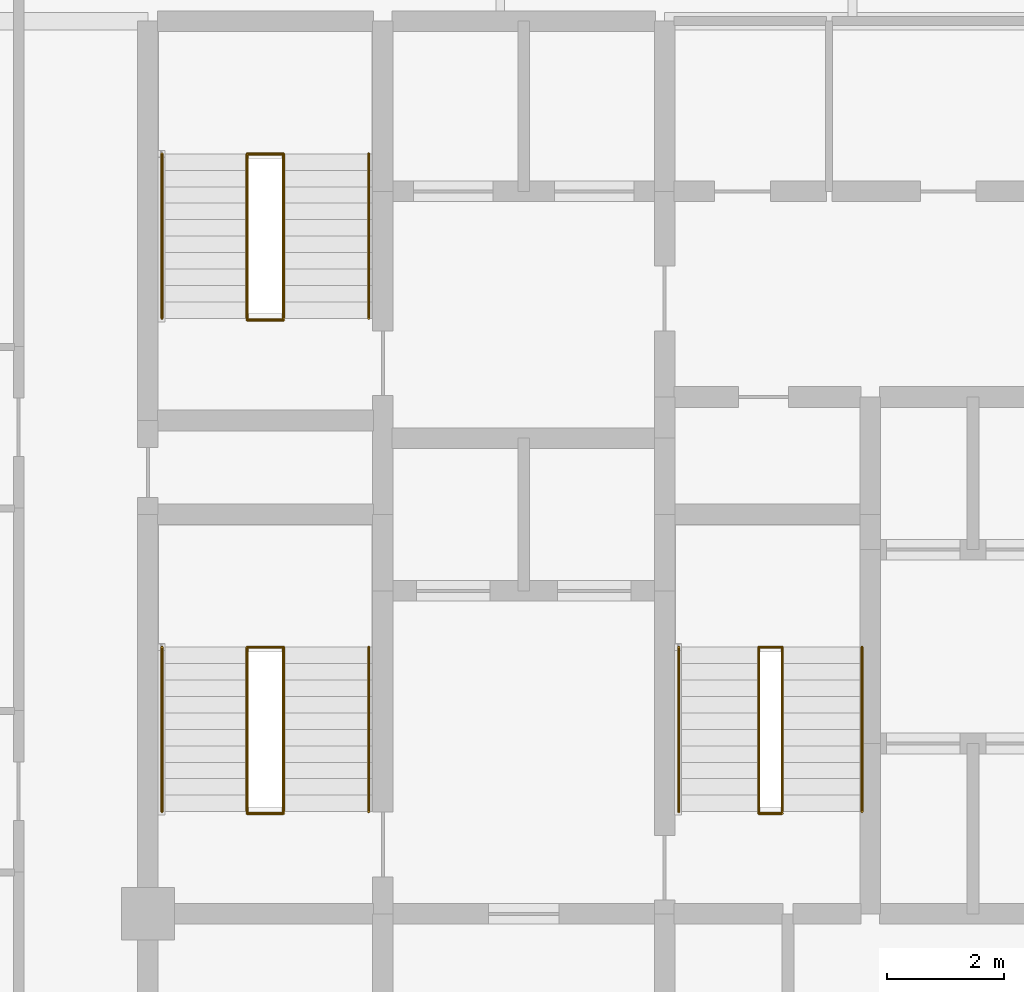
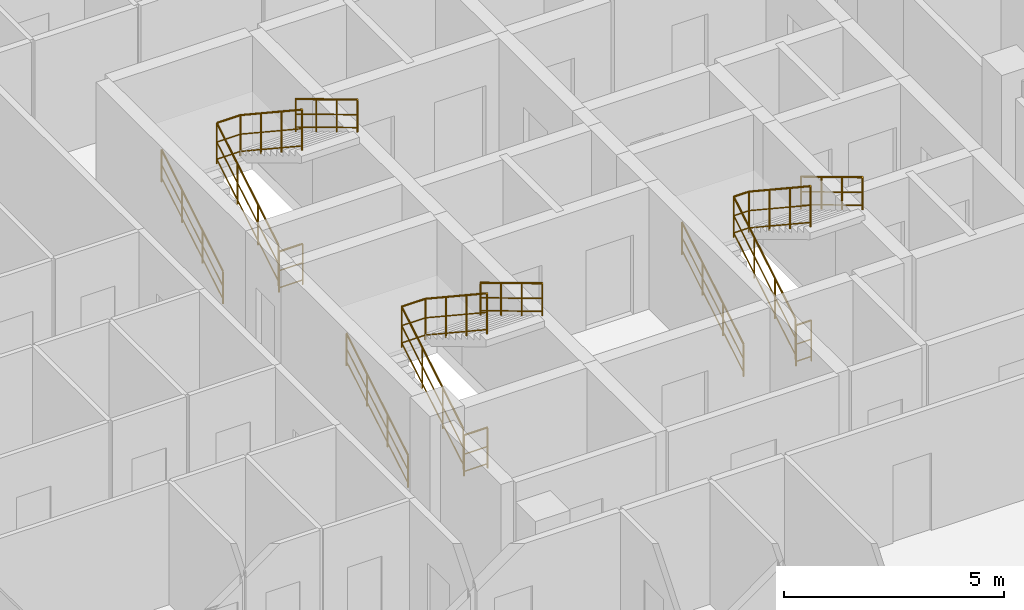
# One storey, part 31 of 31: 12 railings.
"""IFC4 building model written with IfcOpenShell, lengths in metres."""

import ifcopenshell
import ifcopenshell.guid

model = None  # the IFC model being written
_history = None  # IfcOwnerHistory: only IFC2X3 demands one
_inside = {}  # id of a spatial element -> (the spatial element, [elements in it])
_under = {}  # id of a project, library or spatial element -> (it, [spatial elements below it])
_declared = {}  # id of a project -> (the project, [libraries it declares])
_typed = {}  # id of a type object -> (the type object, [elements of that type])
_made_of = {}  # id of a material, layer set ... -> (it, [elements and type objects made of it])


def new_model(schema):
    """Start an empty IFC model of exactly this schema.

    Asked for "IFC4X3", IfcOpenShell would pick the latest addendum, in which some entities
    have other attributes; the version numbers below select the first issue.
    IFC2X3 requires an IfcOwnerHistory on every rooted entity: one is made here for all.
    """
    global model, _history
    if schema == "IFC4X3":
        model = ifcopenshell.file(schema_version=(4, 3, 0, 0))
    else:
        model = ifcopenshell.file(schema=schema)
    _inside.clear()
    _under.clear()
    _declared.clear()
    _typed.clear()
    _made_of.clear()
    _history = None
    if model.schema == "IFC2X3":
        org = make("IfcOrganization", Name="unknown")
        user = make(
            "IfcPersonAndOrganization",
            ThePerson=make("IfcPerson", FamilyName="unknown"),
            TheOrganization=org,
        )
        app = make(
            "IfcApplication",
            ApplicationDeveloper=org,
            Version="unknown",
            ApplicationFullName="unknown",
            ApplicationIdentifier="unknown",
        )
        _history = make(
            "IfcOwnerHistory",
            OwningUser=user,
            OwningApplication=app,
            ChangeAction="ADDED",
            CreationDate=0,
        )
    return model


def make(cls, **values):
    """One entity of the class cls with the attributes given. An attribute that is None is left unset."""
    return model.create_entity(
        cls, **{name: value for name, value in values.items() if value is not None}
    )


def rooted(cls, **values):
    """An entity with a GlobalId (a new one), such as an element, a storey or a relation."""
    return make(cls, GlobalId=ifcopenshell.guid.new(), OwnerHistory=_history, **values)


def si_unit(unit_type, name, prefix=None):
    """IfcSIUnit, for example si_unit("LENGTHUNIT", "METRE", prefix="MILLI")."""
    return make("IfcSIUnit", UnitType=unit_type, Prefix=prefix, Name=name)


def assignment(units):
    """IfcUnitAssignment: the units of a project."""
    return None if units is None else make("IfcUnitAssignment", Units=units)


def point(xyz):
    """IfcCartesianPoint."""
    return None if xyz is None else make("IfcCartesianPoint", Coordinates=xyz)


def direction(xyz):
    """IfcDirection."""
    return None if xyz is None else make("IfcDirection", DirectionRatios=xyz)


def frame(location, z_axis=None, x_axis=None):
    """IfcAxis2Placement3D, a coordinate frame: its origin and axes. An axis left out is left unset."""
    return make(
        "IfcAxis2Placement3D",
        Location=point(location),
        Axis=direction(z_axis),
        RefDirection=direction(x_axis),
    )


def frame_2d(location, x_axis=None):
    """IfcAxis2Placement2D, a coordinate frame in the plane: its origin and x axis."""
    return make(
        "IfcAxis2Placement2D", Location=point(location), RefDirection=direction(x_axis)
    )


def origin():
    """The frame at (0, 0, 0) with its axes left unset."""
    return frame((0.0, 0.0, 0.0))


def origin_2d():
    """The frame at (0, 0) in the plane with its x axis left unset."""
    return frame_2d((0.0, 0.0))


def place(relative_to, where):
    """IfcLocalPlacement: puts the frame where relative to a parent placement (None: the world)."""
    return make(
        "IfcLocalPlacement", PlacementRelTo=relative_to, RelativePlacement=where
    )


def context(
    kind, dimensions, precision=None, world=None, true_north=None, identifier=None
):
    """IfcGeometricRepresentationContext, for example the 3D "Model" context."""
    return make(
        "IfcGeometricRepresentationContext",
        ContextIdentifier=identifier,
        ContextType=kind,
        CoordinateSpaceDimension=dimensions,
        Precision=precision,
        WorldCoordinateSystem=world,
        TrueNorth=true_north,
    )


def subcontext(parent, identifier, kind, view, scale=None):
    """IfcGeometricRepresentationSubContext, for example "Body" below "Model"."""
    return make(
        "IfcGeometricRepresentationSubContext",
        ContextIdentifier=identifier,
        ContextType=kind,
        ParentContext=parent,
        TargetScale=scale,
        TargetView=view,
    )


def project(units=None, contexts=None):
    """IfcProject with its units and contexts."""
    return rooted(
        "IfcProject",
        Name="project",
        RepresentationContexts=contexts,
        UnitsInContext=assignment(units),
    )


def spatial(cls, under=None, at=None, **own):
    """A site, building, storey or space (cls), placed at a placement, below another one or the project."""
    s = rooted(cls, ObjectPlacement=at, **own)
    if under is not None:
        _under.setdefault(under.id(), (under, []))[1].append(s)
    return s


def profile(cls, at=None, kind="AREA", **sizes):
    """A parametric profile (cls). Its sizes go by their IFC names, for example OverallWidth=200.0."""
    return make(cls, ProfileType=kind, Position=at, **sizes)


def circle(**sizes):
    """IfcCircleProfileDef."""
    return profile("IfcCircleProfileDef", **sizes)


def extrude(swept, where, along, depth):
    """IfcExtrudedAreaSolid: the profile swept, set in the frame where, extruded along a direction by depth."""
    return make(
        "IfcExtrudedAreaSolid",
        SweptArea=swept,
        Position=where,
        ExtrudedDirection=direction(along),
        Depth=depth,
    )


def shape(context_of_items, identifier, shape_type, items):
    """IfcShapeRepresentation: the items that make up one representation, for example the "Body"."""
    return make(
        "IfcShapeRepresentation",
        ContextOfItems=context_of_items,
        RepresentationIdentifier=identifier,
        RepresentationType=shape_type,
        Items=items,
    )


def material(Name=None, Category=None):
    """IfcMaterial."""
    return make("IfcMaterial", Name=Name, Category=Category)


def layer(
    of_material, thickness, ventilated=None, Name=None, Category=None, Priority=None
):
    """IfcMaterialLayer: one layer of a wall or slab, of a material (None: an air gap)."""
    return make(
        "IfcMaterialLayer",
        Material=of_material,
        LayerThickness=thickness,
        IsVentilated=ventilated,
        Name=Name,
        Category=Category,
        Priority=Priority,
    )


def layer_set(layers, Name=None):
    """IfcMaterialLayerSet."""
    return make("IfcMaterialLayerSet", MaterialLayers=layers, LayerSetName=Name)


def made_of(thing, what):
    """Note that an element or type object is made of a material, layer set ...; save() writes the relation."""
    if what is not None:
        _made_of.setdefault(what.id(), (what, []))[1].append(thing)
    return thing


def type_object(cls, material=None, **own):
    """A type object (cls), such as IfcWallType, which elements share."""
    return made_of(rooted(cls, **own), material)


def element(
    cls,
    number,
    at=None,
    inside=None,
    cuts=None,
    type_object=None,
    material=None,
    context=None,
    identifier="Body",
    shape_type=None,
    held_by="IfcProductDefinitionShape",
    body=None,
    shapes=None,
    **own,
):
    """One element of the class cls, such as IfcWall. Its Tag is "e" and its number.

    at: its placement. inside: the storey or other place that contains it. cuts: it is an
    opening in that element (IfcRelVoidsElement). A single representation is given by context,
    identifier, shape_type and body (its items); several are given by shapes. held_by: the class
    of the entity that holds the representations. save() writes the other relations.
    """
    e = rooted(cls, Tag="e%d" % number, ObjectPlacement=at, **own)
    if body is not None:
        shapes = [shape(context, identifier, shape_type, body)]
    if shapes is not None:
        e.Representation = make(held_by, Representations=shapes)
    if inside is not None:
        _inside.setdefault(inside.id(), (inside, []))[1].append(e)
    if cuts is not None:
        rooted(
            "IfcRelVoidsElement", RelatingBuildingElement=cuts, RelatedOpeningElement=e
        )
    if type_object is not None:
        _typed.setdefault(type_object.id(), (type_object, []))[1].append(e)
    return made_of(e, material)


def aggregate(whole, parts):
    """IfcRelAggregates: a whole, such as a stair, and the parts it consists of."""
    return rooted("IfcRelAggregates", RelatingObject=whole, RelatedObjects=parts)


def save(model, path):
    """Write the relations noted so far, then the file.

    IfcRelAggregates (storeys below a building ...), IfcRelContainedInSpatialStructure (elements
    in a storey), IfcRelDefinesByType, IfcRelAssociatesMaterial and IfcRelDeclares: one each for
    every whole, place, type object, material and project.
    """
    for whole, parts in _under.values():
        aggregate(whole, parts)
    for where, things in _inside.values():
        rooted(
            "IfcRelContainedInSpatialStructure",
            RelatedElements=things,
            RelatingStructure=where,
        )
    for kind, things in _typed.values():
        rooted("IfcRelDefinesByType", RelatedObjects=things, RelatingType=kind)
    for what, things in _made_of.values():
        rooted("IfcRelAssociatesMaterial", RelatedObjects=things, RelatingMaterial=what)
    for by, libraries in _declared.values():
        rooted("IfcRelDeclares", RelatingContext=by, RelatedDefinitions=libraries)
    model.write(path)


model = new_model("IFC4")

# Units and contexts
model_context = context("Model", 3, precision=1e-05, world=origin(), true_north=direction((0.0, 1.0)))
body_context = subcontext(model_context, "Body", "Model", "MODEL_VIEW")
ifc_project = project(units=[si_unit("LENGTHUNIT", "METRE"), si_unit("AREAUNIT", "SQUARE_METRE"), si_unit("VOLUMEUNIT", "CUBIC_METRE"), si_unit("PLANEANGLEUNIT", "RADIAN"), si_unit("MASSUNIT", "GRAM", prefix="KILO")], contexts=[model_context])

# Site, building, storey
site_placement = place(None, origin())
site = spatial("IfcSite", under=ifc_project, at=site_placement, CompositionType="ELEMENT")
building_placement = place(site_placement, origin())
building = spatial("IfcBuilding", under=site, at=building_placement, Name="Keshet Zoharim Tower", CompositionType="ELEMENT")
storey_placement = place(building_placement, frame((0.0, 0.0, 129.800048828125)))
storey = spatial("IfcBuildingStorey", under=building, at=storey_placement, Name="L31", CompositionType="ELEMENT", Elevation=129.800048828125)

# Railings
ifc_material = material(Name="Steel S355", Category="steel")
ifc_layer_1 = layer(ifc_material, 0.050048828125)
ifc_layer_set_1 = layer_set([ifc_layer_1], Name="Steel S355")
railing_type_1 = type_object("IfcRailingType", Name="RL-HND-092", PredefinedType="HANDRAIL", material=ifc_layer_set_1)
railing_1_placement = place(storey_placement, frame((15.239990234375, 24.43994140625, 0.168212890625)))
element("IfcRailing", 1, at=railing_1_placement, inside=storey, type_object=railing_type_1, Name="L31 ST-01 Flight 1 Wall Handrail", PredefinedType="HANDRAIL", context=body_context, shape_type="SweptSolid", body=[
    extrude(circle(Radius=0.02392578125, at=origin_2d()), frame((0.0, 0.0, 0.89599609375), z_axis=(0.0, 0.857275202839, 0.514858452973), x_axis=(-1.0, 0.0, 0.0)), (0.0, 0.0, 1.0), 3.26611328125),
    extrude(circle(Radius=0.01611328125, at=origin_2d()), frame((0.0, 0.0, 0.478271484375), z_axis=(0.0, 0.857275202839, 0.514858452973), x_axis=(-1.0, 0.0, 0.0)), (0.0, 0.0, 1.0), 3.26611328125),
    extrude(circle(Radius=0.01611328125, at=origin_2d()), frame((0.0, 0.0, 0.1201171875), z_axis=(0.0, 0.857275202839, 0.514858452973), x_axis=(-1.0, 0.0, 0.0)), (0.0, 0.0, 1.0), 3.26611328125),
    extrude(circle(Radius=0.02099609375, at=origin_2d()), origin(), (0.0, 0.0, 1.0), 0.871826171875),
    extrude(circle(Radius=0.02099609375, at=origin_2d()), frame((0.0, 0.933349609375, 0.560546875)), (0.0, 0.0, 1.0), 0.871826171875),
    extrude(circle(Radius=0.02099609375, at=origin_2d()), frame((0.0, 1.86669921875, 1.12109375)), (0.0, 0.0, 1.0), 0.871826171875),
    extrude(circle(Radius=0.02099609375, at=origin_2d()), frame((0.0, 2.800048828125, 1.681640625)), (0.0, 0.0, 1.0), 0.871826171875),
])
railing_2_placement = place(storey_placement, frame((18.760009765625, 27.239990234375, 2.01806640625)))
element("IfcRailing", 2, at=railing_2_placement, inside=storey, type_object=railing_type_1, Name="L31 ST-01 Flight 2 Wall Handrail", PredefinedType="HANDRAIL", context=body_context, shape_type="SweptSolid", body=[
    extrude(circle(Radius=0.02392578125, at=origin_2d()), frame((0.0, 0.0, 0.89599609375), z_axis=(0.0, -0.857242210791, 0.514913383045), x_axis=(1.0, 0.0, 0.0)), (0.0, 0.0, 1.0), 3.266357421875),
    extrude(circle(Radius=0.01611328125, at=origin_2d()), frame((0.0, 0.0, 0.478271484375), z_axis=(0.0, -0.857242210791, 0.514913383045), x_axis=(1.0, 0.0, 0.0)), (0.0, 0.0, 1.0), 3.266357421875),
    extrude(circle(Radius=0.01611328125, at=origin_2d()), frame((0.0, 0.0, 0.1201171875), z_axis=(0.0, -0.857242210791, 0.514913383045), x_axis=(1.0, 0.0, 0.0)), (0.0, 0.0, 1.0), 3.266357421875),
    extrude(circle(Radius=0.02099609375, at=origin_2d()), origin(), (0.0, 0.0, 1.0), 0.871826171875),
    extrude(circle(Radius=0.02099609375, at=origin_2d()), frame((0.0, -0.933349609375, 0.560546875)), (0.0, 0.0, 1.0), 0.871826171875),
    extrude(circle(Radius=0.02099609375, at=origin_2d()), frame((0.0, -1.86669921875, 1.121337890625)), (0.0, 0.0, 1.0), 0.871826171875),
    extrude(circle(Radius=0.02099609375, at=origin_2d()), frame((0.0, -2.800048828125, 1.681884765625)), (0.0, 0.0, 1.0), 0.871826171875),
])
railing_3_placement = place(storey_placement, frame((15.239990234375, 32.840087890625, 0.168212890625)))
element("IfcRailing", 3, at=railing_3_placement, inside=storey, type_object=railing_type_1, Name="L31 ST-02 Flight 1 Wall Handrail", PredefinedType="HANDRAIL", context=body_context, shape_type="SweptSolid", body=[
    extrude(circle(Radius=0.02392578125, at=origin_2d()), frame((0.0, 0.0, 0.89599609375), z_axis=(0.0, 0.857255387014, 0.514891446264), x_axis=(-1.0, 0.0, 0.0)), (0.0, 0.0, 1.0), 3.26611328125),
    extrude(circle(Radius=0.01611328125, at=origin_2d()), frame((0.0, 0.0, 0.478271484375), z_axis=(0.0, 0.857255387014, 0.514891446264), x_axis=(-1.0, 0.0, 0.0)), (0.0, 0.0, 1.0), 3.26611328125),
    extrude(circle(Radius=0.01611328125, at=origin_2d()), frame((0.0, 0.0, 0.1201171875), z_axis=(0.0, 0.857255387014, 0.514891446264), x_axis=(-1.0, 0.0, 0.0)), (0.0, 0.0, 1.0), 3.26611328125),
    extrude(circle(Radius=0.02099609375, at=origin_2d()), origin(), (0.0, 0.0, 1.0), 0.871826171875),
    extrude(circle(Radius=0.02099609375, at=origin_2d()), frame((0.0, 0.933349609375, 0.560546875)), (0.0, 0.0, 1.0), 0.871826171875),
    extrude(circle(Radius=0.02099609375, at=origin_2d()), frame((0.0, 1.866455078125, 1.12109375)), (0.0, 0.0, 1.0), 0.871826171875),
    extrude(circle(Radius=0.02099609375, at=origin_2d()), frame((0.0, 2.7998046875, 1.681640625)), (0.0, 0.0, 1.0), 0.871826171875),
])
railing_4_placement = place(storey_placement, frame((18.760009765625, 35.639892578125, 2.01806640625)))
element("IfcRailing", 4, at=railing_4_placement, inside=storey, type_object=railing_type_1, Name="L31 ST-02 Flight 2 Wall Handrail", PredefinedType="HANDRAIL", context=body_context, shape_type="SweptSolid", body=[
    extrude(circle(Radius=0.02392578125, at=origin_2d()), frame((0.0, 0.0, 0.89599609375), z_axis=(0.0, -0.857222391501, 0.514946377315), x_axis=(1.0, 0.0, 0.0)), (0.0, 0.0, 1.0), 3.26611328125),
    extrude(circle(Radius=0.01611328125, at=origin_2d()), frame((0.0, 0.0, 0.478271484375), z_axis=(0.0, -0.857222391501, 0.514946377315), x_axis=(1.0, 0.0, 0.0)), (0.0, 0.0, 1.0), 3.26611328125),
    extrude(circle(Radius=0.01611328125, at=origin_2d()), frame((0.0, 0.0, 0.1201171875), z_axis=(0.0, -0.857222391501, 0.514946377315), x_axis=(1.0, 0.0, 0.0)), (0.0, 0.0, 1.0), 3.26611328125),
    extrude(circle(Radius=0.02099609375, at=origin_2d()), origin(), (0.0, 0.0, 1.0), 0.871826171875),
    extrude(circle(Radius=0.02099609375, at=origin_2d()), frame((0.0, -0.933349609375, 0.560546875)), (0.0, 0.0, 1.0), 0.871826171875),
    extrude(circle(Radius=0.02099609375, at=origin_2d()), frame((0.0, -1.866455078125, 1.121337890625)), (0.0, 0.0, 1.0), 0.871826171875),
    extrude(circle(Radius=0.02099609375, at=origin_2d()), frame((0.0, -2.7998046875, 1.681884765625)), (0.0, 0.0, 1.0), 0.871826171875),
])
railing_5_placement = place(storey_placement, frame((24.0400390625, 24.43994140625, 0.168212890625)))
element("IfcRailing", 5, at=railing_5_placement, inside=storey, type_object=railing_type_1, Name="L31 ST-03 Flight 1 Wall Handrail", PredefinedType="HANDRAIL", context=body_context, shape_type="SweptSolid", body=[
    extrude(circle(Radius=0.02392578125, at=origin_2d()), frame((0.0, 0.0, 0.89599609375), z_axis=(0.0, 0.857275202839, 0.514858452973), x_axis=(-1.0, 0.0, 0.0)), (0.0, 0.0, 1.0), 3.26611328125),
    extrude(circle(Radius=0.01611328125, at=origin_2d()), frame((0.0, 0.0, 0.478271484375), z_axis=(0.0, 0.857275202839, 0.514858452973), x_axis=(-1.0, 0.0, 0.0)), (0.0, 0.0, 1.0), 3.26611328125),
    extrude(circle(Radius=0.01611328125, at=origin_2d()), frame((0.0, 0.0, 0.1201171875), z_axis=(0.0, 0.857275202839, 0.514858452973), x_axis=(-1.0, 0.0, 0.0)), (0.0, 0.0, 1.0), 3.26611328125),
    extrude(circle(Radius=0.02099609375, at=origin_2d()), origin(), (0.0, 0.0, 1.0), 0.871826171875),
    extrude(circle(Radius=0.02099609375, at=origin_2d()), frame((0.0, 0.933349609375, 0.560546875)), (0.0, 0.0, 1.0), 0.871826171875),
    extrude(circle(Radius=0.02099609375, at=origin_2d()), frame((0.0, 1.86669921875, 1.12109375)), (0.0, 0.0, 1.0), 0.871826171875),
    extrude(circle(Radius=0.02099609375, at=origin_2d()), frame((0.0, 2.800048828125, 1.681640625)), (0.0, 0.0, 1.0), 0.871826171875),
])
railing_6_placement = place(storey_placement, frame((27.159912109375, 27.239990234375, 2.01806640625)))
element("IfcRailing", 6, at=railing_6_placement, inside=storey, type_object=railing_type_1, Name="L31 ST-03 Flight 2 Wall Handrail", PredefinedType="HANDRAIL", context=body_context, shape_type="SweptSolid", body=[
    extrude(circle(Radius=0.02392578125, at=origin_2d()), frame((0.0, 0.0, 0.89599609375), z_axis=(0.0, -0.857242210791, 0.514913383045), x_axis=(1.0, 0.0, 0.0)), (0.0, 0.0, 1.0), 3.266357421875),
    extrude(circle(Radius=0.01611328125, at=origin_2d()), frame((0.0, 0.0, 0.478271484375), z_axis=(0.0, -0.857242210791, 0.514913383045), x_axis=(1.0, 0.0, 0.0)), (0.0, 0.0, 1.0), 3.266357421875),
    extrude(circle(Radius=0.01611328125, at=origin_2d()), frame((0.0, 0.0, 0.1201171875), z_axis=(0.0, -0.857242210791, 0.514913383045), x_axis=(1.0, 0.0, 0.0)), (0.0, 0.0, 1.0), 3.266357421875),
    extrude(circle(Radius=0.02099609375, at=origin_2d()), origin(), (0.0, 0.0, 1.0), 0.871826171875),
    extrude(circle(Radius=0.02099609375, at=origin_2d()), frame((0.0, -0.933349609375, 0.560546875)), (0.0, 0.0, 1.0), 0.871826171875),
    extrude(circle(Radius=0.02099609375, at=origin_2d()), frame((0.0, -1.86669921875, 1.121337890625)), (0.0, 0.0, 1.0), 0.871826171875),
    extrude(circle(Radius=0.02099609375, at=origin_2d()), frame((0.0, -2.800048828125, 1.681884765625)), (0.0, 0.0, 1.0), 0.871826171875),
])
ifc_layer_2 = layer(ifc_material, 0.06005859375)
ifc_layer_set_2 = layer_set([ifc_layer_2], Name="Steel S355")
railing_type_2 = type_object("IfcRailingType", Name="RL-STG-115", PredefinedType="GUARDRAIL", material=ifc_layer_set_2)
railing_7_placement = place(storey_placement, frame((16.68994140625, 24.43994140625, 0.168212890625)))
element("IfcRailing", 7, at=railing_7_placement, inside=storey, type_object=railing_type_2, Name="L31 ST-01 Inner Well Guardrail", PredefinedType="GUARDRAIL", context=body_context, shape_type="SweptSolid", body=[
    extrude(circle(Radius=0.02392578125, at=origin_2d()), frame((0.0, 0.0, 1.1259765625), z_axis=(0.0, 0.857275202839, 0.514858452973), x_axis=(-1.0, 0.0, 0.0)), (0.0, 0.0, 1.0), 3.26611328125),
    extrude(circle(Radius=0.01611328125, at=origin_2d()), frame((0.0, 0.0, 0.597900390625), z_axis=(0.0, 0.857275202839, 0.514858452973), x_axis=(-1.0, 0.0, 0.0)), (0.0, 0.0, 1.0), 3.26611328125),
    extrude(circle(Radius=0.01611328125, at=origin_2d()), frame((0.0, 0.0, 0.1201171875), z_axis=(0.0, 0.857275202839, 0.514858452973), x_axis=(-1.0, 0.0, 0.0)), (0.0, 0.0, 1.0), 3.26611328125),
    extrude(circle(Radius=0.02392578125, at=origin_2d()), frame((0.0, 2.800048828125, 2.8076171875), z_axis=(1.0, 0.0, 0.0), x_axis=(0.0, 1.0, 0.0)), (0.0, 0.0, 1.0), 0.6201171875),
    extrude(circle(Radius=0.01611328125, at=origin_2d()), frame((0.0, 2.800048828125, 2.279541015625), z_axis=(1.0, 0.0, 0.0), x_axis=(0.0, 1.0, 0.0)), (0.0, 0.0, 1.0), 0.6201171875),
    extrude(circle(Radius=0.01611328125, at=origin_2d()), frame((0.0, 2.800048828125, 1.8017578125), z_axis=(1.0, 0.0, 0.0), x_axis=(0.0, 1.0, 0.0)), (0.0, 0.0, 1.0), 0.6201171875),
    extrude(circle(Radius=0.02392578125, at=origin_2d()), frame((0.6201171875, 2.800048828125, 2.8076171875), z_axis=(0.0, -0.834326358476, 0.551270829586), x_axis=(1.0, 0.0, 0.0)), (0.0, 0.0, 1.0), 3.35595703125),
    extrude(circle(Radius=0.01611328125, at=origin_2d()), frame((0.6201171875, 2.800048828125, 2.279541015625), z_axis=(0.0, -0.834326358476, 0.551270829586), x_axis=(1.0, 0.0, 0.0)), (0.0, 0.0, 1.0), 3.35595703125),
    extrude(circle(Radius=0.01611328125, at=origin_2d()), frame((0.6201171875, 2.800048828125, 1.8017578125), z_axis=(0.0, -0.834326358476, 0.551270829586), x_axis=(1.0, 0.0, 0.0)), (0.0, 0.0, 1.0), 3.35595703125),
    extrude(circle(Radius=0.02099609375, at=origin_2d()), origin(), (0.0, 0.0, 1.0), 1.101806640625),
    extrude(circle(Radius=0.02099609375, at=origin_2d()), frame((0.0, 0.933349609375, 0.560546875)), (0.0, 0.0, 1.0), 1.101806640625),
    extrude(circle(Radius=0.02099609375, at=origin_2d()), frame((0.0, 1.86669921875, 1.12109375)), (0.0, 0.0, 1.0), 1.101806640625),
    extrude(circle(Radius=0.02099609375, at=origin_2d()), frame((0.0, 2.800048828125, 1.681640625)), (0.0, 0.0, 1.0), 1.101806640625),
    extrude(circle(Radius=0.02099609375, at=origin_2d()), frame((0.6201171875, 2.800048828125, 1.681640625)), (0.0, 0.0, 1.0), 1.101806640625),
    extrude(circle(Radius=0.02099609375, at=origin_2d()), frame((0.6201171875, 1.86669921875, 2.29833984375)), (0.0, 0.0, 1.0), 1.101806640625),
    extrude(circle(Radius=0.02099609375, at=origin_2d()), frame((0.6201171875, 0.933349609375, 2.9150390625)), (0.0, 0.0, 1.0), 1.101806640625),
    extrude(circle(Radius=0.02099609375, at=origin_2d()), frame((0.6201171875, 0.0, 3.53173828125)), (0.0, 0.0, 1.0), 1.101806640625),
])
railing_8_placement = place(storey_placement, frame((16.68994140625, 24.409912109375, 0.0)))
element("IfcRailing", 8, at=railing_8_placement, inside=storey, type_object=railing_type_2, Name="L31 ST-01 Stairwell Floor Guardrail", PredefinedType="GUARDRAIL", context=body_context, shape_type="SweptSolid", body=[
    extrude(circle(Radius=0.02392578125, at=origin_2d()), frame((0.0, 0.0, 1.1259765625), z_axis=(1.0, 0.0, 0.0), x_axis=(0.0, 1.0, 0.0)), (0.0, 0.0, 1.0), 0.6201171875),
    extrude(circle(Radius=0.01611328125, at=origin_2d()), frame((0.0, 0.0, 0.597900390625), z_axis=(1.0, 0.0, 0.0), x_axis=(0.0, 1.0, 0.0)), (0.0, 0.0, 1.0), 0.6201171875),
    extrude(circle(Radius=0.01611328125, at=origin_2d()), frame((0.0, 0.0, 0.1201171875), z_axis=(1.0, 0.0, 0.0), x_axis=(0.0, 1.0, 0.0)), (0.0, 0.0, 1.0), 0.6201171875),
    extrude(circle(Radius=0.02099609375, at=origin_2d()), origin(), (0.0, 0.0, 1.0), 1.101806640625),
    extrude(circle(Radius=0.02099609375, at=origin_2d()), frame((0.6201171875, 0.0, 0.0)), (0.0, 0.0, 1.0), 1.101806640625),
])
railing_9_placement = place(storey_placement, frame((16.68994140625, 32.840087890625, 0.168212890625)))
element("IfcRailing", 9, at=railing_9_placement, inside=storey, type_object=railing_type_2, Name="L31 ST-02 Inner Well Guardrail", PredefinedType="GUARDRAIL", context=body_context, shape_type="SweptSolid", body=[
    extrude(circle(Radius=0.02392578125, at=origin_2d()), frame((0.0, 0.0, 1.1259765625), z_axis=(0.0, 0.857255387014, 0.514891446264), x_axis=(-1.0, 0.0, 0.0)), (0.0, 0.0, 1.0), 3.26611328125),
    extrude(circle(Radius=0.01611328125, at=origin_2d()), frame((0.0, 0.0, 0.597900390625), z_axis=(0.0, 0.857255387014, 0.514891446264), x_axis=(-1.0, 0.0, 0.0)), (0.0, 0.0, 1.0), 3.26611328125),
    extrude(circle(Radius=0.01611328125, at=origin_2d()), frame((0.0, 0.0, 0.1201171875), z_axis=(0.0, 0.857255387014, 0.514891446264), x_axis=(-1.0, 0.0, 0.0)), (0.0, 0.0, 1.0), 3.26611328125),
    extrude(circle(Radius=0.02392578125, at=origin_2d()), frame((0.0, 2.7998046875, 2.8076171875), z_axis=(1.0, 0.0, 0.0), x_axis=(0.0, 1.0, 0.0)), (0.0, 0.0, 1.0), 0.6201171875),
    extrude(circle(Radius=0.01611328125, at=origin_2d()), frame((0.0, 2.7998046875, 2.279541015625), z_axis=(1.0, 0.0, 0.0), x_axis=(0.0, 1.0, 0.0)), (0.0, 0.0, 1.0), 0.6201171875),
    extrude(circle(Radius=0.01611328125, at=origin_2d()), frame((0.0, 2.7998046875, 1.8017578125), z_axis=(1.0, 0.0, 0.0), x_axis=(0.0, 1.0, 0.0)), (0.0, 0.0, 1.0), 0.6201171875),
    extrude(circle(Radius=0.02392578125, at=origin_2d()), frame((0.6201171875, 2.7998046875, 2.8076171875), z_axis=(0.0, -0.834304248922, 0.551304290053), x_axis=(1.0, 0.0, 0.0)), (0.0, 0.0, 1.0), 3.35595703125),
    extrude(circle(Radius=0.01611328125, at=origin_2d()), frame((0.6201171875, 2.7998046875, 2.279541015625), z_axis=(0.0, -0.834304248922, 0.551304290053), x_axis=(1.0, 0.0, 0.0)), (0.0, 0.0, 1.0), 3.35595703125),
    extrude(circle(Radius=0.01611328125, at=origin_2d()), frame((0.6201171875, 2.7998046875, 1.8017578125), z_axis=(0.0, -0.834304248922, 0.551304290053), x_axis=(1.0, 0.0, 0.0)), (0.0, 0.0, 1.0), 3.35595703125),
    extrude(circle(Radius=0.02099609375, at=origin_2d()), origin(), (0.0, 0.0, 1.0), 1.101806640625),
    extrude(circle(Radius=0.02099609375, at=origin_2d()), frame((0.0, 0.933349609375, 0.560546875)), (0.0, 0.0, 1.0), 1.101806640625),
    extrude(circle(Radius=0.02099609375, at=origin_2d()), frame((0.0, 1.866455078125, 1.12109375)), (0.0, 0.0, 1.0), 1.101806640625),
    extrude(circle(Radius=0.02099609375, at=origin_2d()), frame((0.0, 2.7998046875, 1.681640625)), (0.0, 0.0, 1.0), 1.101806640625),
    extrude(circle(Radius=0.02099609375, at=origin_2d()), frame((0.6201171875, 2.7998046875, 1.681640625)), (0.0, 0.0, 1.0), 1.101806640625),
    extrude(circle(Radius=0.02099609375, at=origin_2d()), frame((0.6201171875, 1.866455078125, 2.29833984375)), (0.0, 0.0, 1.0), 1.101806640625),
    extrude(circle(Radius=0.02099609375, at=origin_2d()), frame((0.6201171875, 0.933349609375, 2.9150390625)), (0.0, 0.0, 1.0), 1.101806640625),
    extrude(circle(Radius=0.02099609375, at=origin_2d()), frame((0.6201171875, 0.0, 3.53173828125)), (0.0, 0.0, 1.0), 1.101806640625),
])
railing_10_placement = place(storey_placement, frame((16.68994140625, 32.81005859375, 0.0)))
element("IfcRailing", 10, at=railing_10_placement, inside=storey, type_object=railing_type_2, Name="L31 ST-02 Stairwell Floor Guardrail", PredefinedType="GUARDRAIL", context=body_context, shape_type="SweptSolid", body=[
    extrude(circle(Radius=0.02392578125, at=origin_2d()), frame((0.0, 0.0, 1.1259765625), z_axis=(1.0, 0.0, 0.0), x_axis=(0.0, 1.0, 0.0)), (0.0, 0.0, 1.0), 0.6201171875),
    extrude(circle(Radius=0.01611328125, at=origin_2d()), frame((0.0, 0.0, 0.597900390625), z_axis=(1.0, 0.0, 0.0), x_axis=(0.0, 1.0, 0.0)), (0.0, 0.0, 1.0), 0.6201171875),
    extrude(circle(Radius=0.01611328125, at=origin_2d()), frame((0.0, 0.0, 0.1201171875), z_axis=(1.0, 0.0, 0.0), x_axis=(0.0, 1.0, 0.0)), (0.0, 0.0, 1.0), 0.6201171875),
    extrude(circle(Radius=0.02099609375, at=origin_2d()), origin(), (0.0, 0.0, 1.0), 1.101806640625),
    extrude(circle(Radius=0.02099609375, at=origin_2d()), frame((0.6201171875, 0.0, 0.0)), (0.0, 0.0, 1.0), 1.101806640625),
])
railing_11_placement = place(storey_placement, frame((25.39990234375, 24.43994140625, 0.168212890625)))
element("IfcRailing", 11, at=railing_11_placement, inside=storey, type_object=railing_type_2, Name="L31 ST-03 Inner Well Guardrail", PredefinedType="GUARDRAIL", context=body_context, shape_type="SweptSolid", body=[
    extrude(circle(Radius=0.02392578125, at=origin_2d()), frame((0.0, 0.0, 1.1259765625), z_axis=(0.0, 0.857275202839, 0.514858452973), x_axis=(-1.0, 0.0, 0.0)), (0.0, 0.0, 1.0), 3.26611328125),
    extrude(circle(Radius=0.01611328125, at=origin_2d()), frame((0.0, 0.0, 0.597900390625), z_axis=(0.0, 0.857275202839, 0.514858452973), x_axis=(-1.0, 0.0, 0.0)), (0.0, 0.0, 1.0), 3.26611328125),
    extrude(circle(Radius=0.01611328125, at=origin_2d()), frame((0.0, 0.0, 0.1201171875), z_axis=(0.0, 0.857275202839, 0.514858452973), x_axis=(-1.0, 0.0, 0.0)), (0.0, 0.0, 1.0), 3.26611328125),
    extrude(circle(Radius=0.02392578125, at=origin_2d()), frame((0.0, 2.800048828125, 2.8076171875), z_axis=(1.0, 0.0, 0.0), x_axis=(0.0, 1.0, 0.0)), (0.0, 0.0, 1.0), 0.400146484375),
    extrude(circle(Radius=0.01611328125, at=origin_2d()), frame((0.0, 2.800048828125, 2.279541015625), z_axis=(1.0, 0.0, 0.0), x_axis=(0.0, 1.0, 0.0)), (0.0, 0.0, 1.0), 0.400146484375),
    extrude(circle(Radius=0.01611328125, at=origin_2d()), frame((0.0, 2.800048828125, 1.8017578125), z_axis=(1.0, 0.0, 0.0), x_axis=(0.0, 1.0, 0.0)), (0.0, 0.0, 1.0), 0.400146484375),
    extrude(circle(Radius=0.02392578125, at=origin_2d()), frame((0.400146484375, 2.800048828125, 2.8076171875), z_axis=(0.0, -0.834326358476, 0.551270829586), x_axis=(1.0, 0.0, 0.0)), (0.0, 0.0, 1.0), 3.35595703125),
    extrude(circle(Radius=0.01611328125, at=origin_2d()), frame((0.400146484375, 2.800048828125, 2.279541015625), z_axis=(0.0, -0.834326358476, 0.551270829586), x_axis=(1.0, 0.0, 0.0)), (0.0, 0.0, 1.0), 3.35595703125),
    extrude(circle(Radius=0.01611328125, at=origin_2d()), frame((0.400146484375, 2.800048828125, 1.8017578125), z_axis=(0.0, -0.834326358476, 0.551270829586), x_axis=(1.0, 0.0, 0.0)), (0.0, 0.0, 1.0), 3.35595703125),
    extrude(circle(Radius=0.02099609375, at=origin_2d()), origin(), (0.0, 0.0, 1.0), 1.101806640625),
    extrude(circle(Radius=0.02099609375, at=origin_2d()), frame((0.0, 0.933349609375, 0.560546875)), (0.0, 0.0, 1.0), 1.101806640625),
    extrude(circle(Radius=0.02099609375, at=origin_2d()), frame((0.0, 1.86669921875, 1.12109375)), (0.0, 0.0, 1.0), 1.101806640625),
    extrude(circle(Radius=0.02099609375, at=origin_2d()), frame((0.0, 2.800048828125, 1.681640625)), (0.0, 0.0, 1.0), 1.101806640625),
    extrude(circle(Radius=0.02099609375, at=origin_2d()), frame((0.400146484375, 2.800048828125, 1.681640625)), (0.0, 0.0, 1.0), 1.101806640625),
    extrude(circle(Radius=0.02099609375, at=origin_2d()), frame((0.400146484375, 1.86669921875, 2.29833984375)), (0.0, 0.0, 1.0), 1.101806640625),
    extrude(circle(Radius=0.02099609375, at=origin_2d()), frame((0.400146484375, 0.933349609375, 2.9150390625)), (0.0, 0.0, 1.0), 1.101806640625),
    extrude(circle(Radius=0.02099609375, at=origin_2d()), frame((0.400146484375, 0.0, 3.53173828125)), (0.0, 0.0, 1.0), 1.101806640625),
])
railing_12_placement = place(storey_placement, frame((25.39990234375, 24.409912109375, 0.0)))
element("IfcRailing", 12, at=railing_12_placement, inside=storey, type_object=railing_type_2, Name="L31 ST-03 Stairwell Floor Guardrail", PredefinedType="GUARDRAIL", context=body_context, shape_type="SweptSolid", body=[
    extrude(circle(Radius=0.02392578125, at=origin_2d()), frame((0.0, 0.0, 1.1259765625), z_axis=(1.0, 0.0, 0.0), x_axis=(0.0, 1.0, 0.0)), (0.0, 0.0, 1.0), 0.400146484375),
    extrude(circle(Radius=0.01611328125, at=origin_2d()), frame((0.0, 0.0, 0.597900390625), z_axis=(1.0, 0.0, 0.0), x_axis=(0.0, 1.0, 0.0)), (0.0, 0.0, 1.0), 0.400146484375),
    extrude(circle(Radius=0.01611328125, at=origin_2d()), frame((0.0, 0.0, 0.1201171875), z_axis=(1.0, 0.0, 0.0), x_axis=(0.0, 1.0, 0.0)), (0.0, 0.0, 1.0), 0.400146484375),
    extrude(circle(Radius=0.02099609375, at=origin_2d()), origin(), (0.0, 0.0, 1.0), 1.101806640625),
    extrude(circle(Radius=0.02099609375, at=origin_2d()), frame((0.400146484375, 0.0, 0.0)), (0.0, 0.0, 1.0), 1.101806640625),
])

save(model, "model.ifc")
